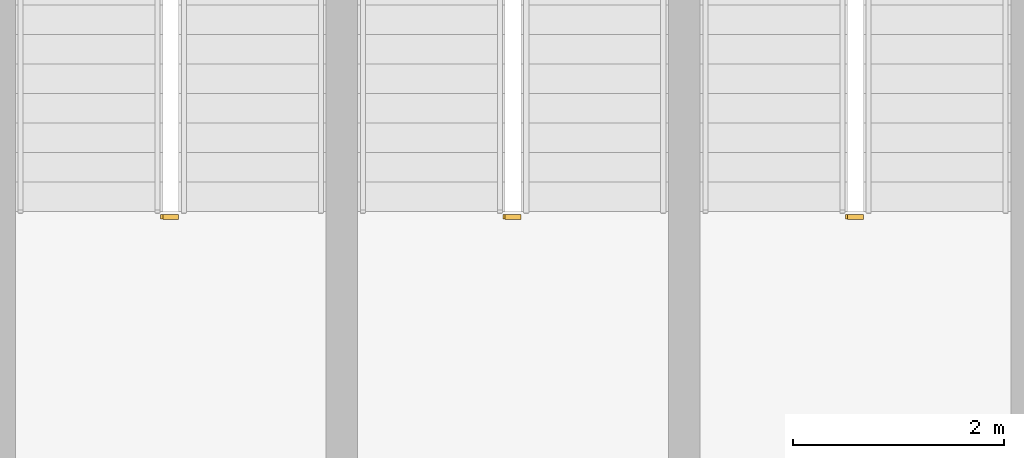
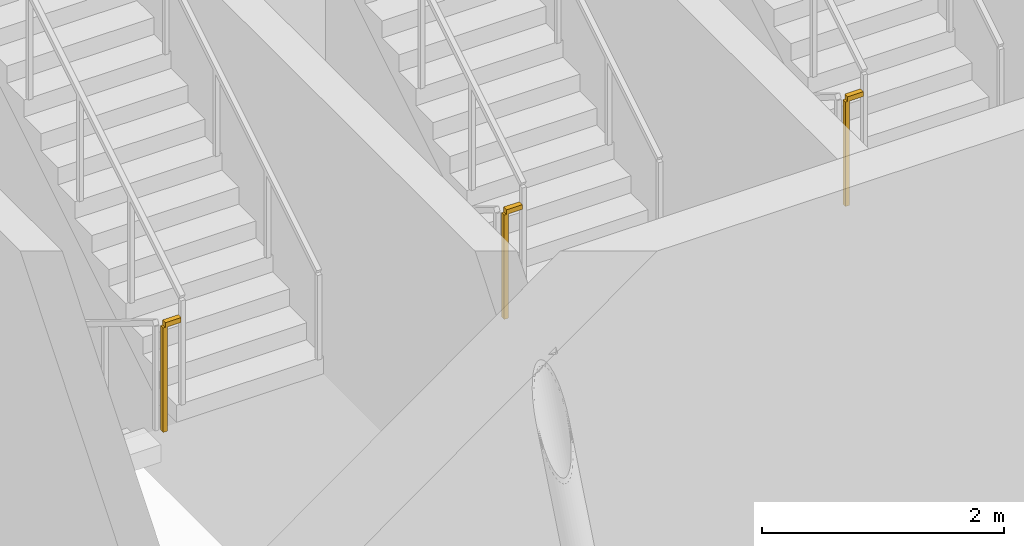
# One storey, part 32 of 69: 3 railings.
"""IFC4 building model written with IfcOpenShell, lengths in metres."""

import ifcopenshell
import ifcopenshell.guid

model = None  # the IFC model being written
_history = None  # IfcOwnerHistory: only IFC2X3 demands one
_inside = {}  # id of a spatial element -> (the spatial element, [elements in it])
_under = {}  # id of a project, library or spatial element -> (it, [spatial elements below it])
_declared = {}  # id of a project -> (the project, [libraries it declares])
_typed = {}  # id of a type object -> (the type object, [elements of that type])
_made_of = {}  # id of a material, layer set ... -> (it, [elements and type objects made of it])


def new_model(schema):
    """Start an empty IFC model of exactly this schema.

    Asked for "IFC4X3", IfcOpenShell would pick the latest addendum, in which some entities
    have other attributes; the version numbers below select the first issue.
    IFC2X3 requires an IfcOwnerHistory on every rooted entity: one is made here for all.
    """
    global model, _history
    if schema == "IFC4X3":
        model = ifcopenshell.file(schema_version=(4, 3, 0, 0))
    else:
        model = ifcopenshell.file(schema=schema)
    _inside.clear()
    _under.clear()
    _declared.clear()
    _typed.clear()
    _made_of.clear()
    _history = None
    if model.schema == "IFC2X3":
        org = make("IfcOrganization", Name="unknown")
        user = make(
            "IfcPersonAndOrganization",
            ThePerson=make("IfcPerson", FamilyName="unknown"),
            TheOrganization=org,
        )
        app = make(
            "IfcApplication",
            ApplicationDeveloper=org,
            Version="unknown",
            ApplicationFullName="unknown",
            ApplicationIdentifier="unknown",
        )
        _history = make(
            "IfcOwnerHistory",
            OwningUser=user,
            OwningApplication=app,
            ChangeAction="ADDED",
            CreationDate=0,
        )
    return model


def make(cls, **values):
    """One entity of the class cls with the attributes given. An attribute that is None is left unset."""
    return model.create_entity(
        cls, **{name: value for name, value in values.items() if value is not None}
    )


def rooted(cls, **values):
    """An entity with a GlobalId (a new one), such as an element, a storey or a relation."""
    return make(cls, GlobalId=ifcopenshell.guid.new(), OwnerHistory=_history, **values)


def si_unit(unit_type, name, prefix=None):
    """IfcSIUnit, for example si_unit("LENGTHUNIT", "METRE", prefix="MILLI")."""
    return make("IfcSIUnit", UnitType=unit_type, Prefix=prefix, Name=name)


def assignment(units):
    """IfcUnitAssignment: the units of a project."""
    return None if units is None else make("IfcUnitAssignment", Units=units)


def point(xyz):
    """IfcCartesianPoint."""
    return None if xyz is None else make("IfcCartesianPoint", Coordinates=xyz)


def direction(xyz):
    """IfcDirection."""
    return None if xyz is None else make("IfcDirection", DirectionRatios=xyz)


def frame(location, z_axis=None, x_axis=None):
    """IfcAxis2Placement3D, a coordinate frame: its origin and axes. An axis left out is left unset."""
    return make(
        "IfcAxis2Placement3D",
        Location=point(location),
        Axis=direction(z_axis),
        RefDirection=direction(x_axis),
    )


def frame_2d(location, x_axis=None):
    """IfcAxis2Placement2D, a coordinate frame in the plane: its origin and x axis."""
    return make(
        "IfcAxis2Placement2D", Location=point(location), RefDirection=direction(x_axis)
    )


def origin():
    """The frame at (0, 0, 0) with its axes left unset."""
    return frame((0.0, 0.0, 0.0))


def origin_2d():
    """The frame at (0, 0) in the plane with its x axis left unset."""
    return frame_2d((0.0, 0.0))


def place(relative_to, where):
    """IfcLocalPlacement: puts the frame where relative to a parent placement (None: the world)."""
    return make(
        "IfcLocalPlacement", PlacementRelTo=relative_to, RelativePlacement=where
    )


def context(
    kind, dimensions, precision=None, world=None, true_north=None, identifier=None
):
    """IfcGeometricRepresentationContext, for example the 3D "Model" context."""
    return make(
        "IfcGeometricRepresentationContext",
        ContextIdentifier=identifier,
        ContextType=kind,
        CoordinateSpaceDimension=dimensions,
        Precision=precision,
        WorldCoordinateSystem=world,
        TrueNorth=true_north,
    )


def subcontext(parent, identifier, kind, view, scale=None):
    """IfcGeometricRepresentationSubContext, for example "Body" below "Model"."""
    return make(
        "IfcGeometricRepresentationSubContext",
        ContextIdentifier=identifier,
        ContextType=kind,
        ParentContext=parent,
        TargetScale=scale,
        TargetView=view,
    )


def project(units=None, contexts=None):
    """IfcProject with its units and contexts."""
    return rooted(
        "IfcProject",
        Name="project",
        RepresentationContexts=contexts,
        UnitsInContext=assignment(units),
    )


def spatial(cls, under=None, at=None, **own):
    """A site, building, storey or space (cls), placed at a placement, below another one or the project."""
    s = rooted(cls, ObjectPlacement=at, **own)
    if under is not None:
        _under.setdefault(under.id(), (under, []))[1].append(s)
    return s


def profile(cls, at=None, kind="AREA", **sizes):
    """A parametric profile (cls). Its sizes go by their IFC names, for example OverallWidth=200.0."""
    return make(cls, ProfileType=kind, Position=at, **sizes)


def rectangle(**sizes):
    """IfcRectangleProfileDef."""
    return profile("IfcRectangleProfileDef", **sizes)


def extrude(swept, where, along, depth):
    """IfcExtrudedAreaSolid: the profile swept, set in the frame where, extruded along a direction by depth."""
    return make(
        "IfcExtrudedAreaSolid",
        SweptArea=swept,
        Position=where,
        ExtrudedDirection=direction(along),
        Depth=depth,
    )


def shape(context_of_items, identifier, shape_type, items):
    """IfcShapeRepresentation: the items that make up one representation, for example the "Body"."""
    return make(
        "IfcShapeRepresentation",
        ContextOfItems=context_of_items,
        RepresentationIdentifier=identifier,
        RepresentationType=shape_type,
        Items=items,
    )


def material(Name=None, Category=None):
    """IfcMaterial."""
    return make("IfcMaterial", Name=Name, Category=Category)


def made_of(thing, what):
    """Note that an element or type object is made of a material, layer set ...; save() writes the relation."""
    if what is not None:
        _made_of.setdefault(what.id(), (what, []))[1].append(thing)
    return thing


def type_object(cls, material=None, **own):
    """A type object (cls), such as IfcWallType, which elements share."""
    return made_of(rooted(cls, **own), material)


def element(
    cls,
    number,
    at=None,
    inside=None,
    cuts=None,
    type_object=None,
    material=None,
    context=None,
    identifier="Body",
    shape_type=None,
    held_by="IfcProductDefinitionShape",
    body=None,
    shapes=None,
    **own,
):
    """One element of the class cls, such as IfcWall. Its Tag is "e" and its number.

    at: its placement. inside: the storey or other place that contains it. cuts: it is an
    opening in that element (IfcRelVoidsElement). A single representation is given by context,
    identifier, shape_type and body (its items); several are given by shapes. held_by: the class
    of the entity that holds the representations. save() writes the other relations.
    """
    e = rooted(cls, Tag="e%d" % number, ObjectPlacement=at, **own)
    if body is not None:
        shapes = [shape(context, identifier, shape_type, body)]
    if shapes is not None:
        e.Representation = make(held_by, Representations=shapes)
    if inside is not None:
        _inside.setdefault(inside.id(), (inside, []))[1].append(e)
    if cuts is not None:
        rooted(
            "IfcRelVoidsElement", RelatingBuildingElement=cuts, RelatedOpeningElement=e
        )
    if type_object is not None:
        _typed.setdefault(type_object.id(), (type_object, []))[1].append(e)
    return made_of(e, material)


def aggregate(whole, parts):
    """IfcRelAggregates: a whole, such as a stair, and the parts it consists of."""
    return rooted("IfcRelAggregates", RelatingObject=whole, RelatedObjects=parts)


def save(model, path):
    """Write the relations noted so far, then the file.

    IfcRelAggregates (storeys below a building ...), IfcRelContainedInSpatialStructure (elements
    in a storey), IfcRelDefinesByType, IfcRelAssociatesMaterial and IfcRelDeclares: one each for
    every whole, place, type object, material and project.
    """
    for whole, parts in _under.values():
        aggregate(whole, parts)
    for where, things in _inside.values():
        rooted(
            "IfcRelContainedInSpatialStructure",
            RelatedElements=things,
            RelatingStructure=where,
        )
    for kind, things in _typed.values():
        rooted("IfcRelDefinesByType", RelatedObjects=things, RelatingType=kind)
    for what, things in _made_of.values():
        rooted("IfcRelAssociatesMaterial", RelatedObjects=things, RelatingMaterial=what)
    for by, libraries in _declared.values():
        rooted("IfcRelDeclares", RelatingContext=by, RelatedDefinitions=libraries)
    model.write(path)


model = new_model("IFC4")

# Units and contexts
model_context = context("Model", 3, precision=1e-05, world=origin(), true_north=direction((0.0, 1.0)))
body_context = subcontext(model_context, "Body", "Model", "MODEL_VIEW")
ifc_project = project(units=[si_unit("LENGTHUNIT", "METRE"), si_unit("AREAUNIT", "SQUARE_METRE"), si_unit("VOLUMEUNIT", "CUBIC_METRE"), si_unit("PLANEANGLEUNIT", "RADIAN"), si_unit("MASSUNIT", "GRAM", prefix="KILO")], contexts=[model_context])

# Site, building, storey
site_placement = place(None, origin())
site = spatial("IfcSite", under=ifc_project, at=site_placement, CompositionType="ELEMENT")
building_placement = place(site_placement, origin())
building = spatial("IfcBuilding", under=site, at=building_placement, Name="Noorbagh Ring Tower", CompositionType="ELEMENT")
storey_placement = place(building_placement, frame((0.0, 0.0, 19.5)))
storey = spatial("IfcBuildingStorey", under=building, at=storey_placement, Name="L03", CompositionType="ELEMENT", Elevation=19.5)

# Railings
ifc_material = material(Name="Stainless steel", Category="steel")
railing_type = type_object("IfcRailingType", Name="TH-STAIR-GUARD", PredefinedType="GUARDRAIL", material=ifc_material)
for number, where, name in (
    (1, (-123.449951171875, 22.0, 2.75), "L03 TSN1 stair guard 2"),
    (2, (-120.199951171875, 22.0, 2.75), "L03 TSN2 stair guard 2"),
    (3, (-126.699951171875, 22.0, 2.75), "L03 TSN3 stair guard 2"),
):
    element("IfcRailing", number, at=place(storey_placement, frame(where)), inside=storey, type_object=railing_type, Name=name, PredefinedType="GUARDRAIL", context=body_context, shape_type="SweptSolid", body=[
        extrude(rectangle(XDim=0.048095703125, YDim=0.048095703125, at=origin_2d()), frame((0.0, 0.0, 1.076171875), z_axis=(1.0, 0.0, 0.0), x_axis=(0.0, 1.0, 0.0)), (0.0, 0.0, 1.0), 0.14990234375),
        extrude(rectangle(XDim=0.0419921875, YDim=0.0419921875, at=origin_2d()), origin(), (0.0, 0.0, 1.0), 1.052001953125),
    ])

save(model, "model.ifc")
